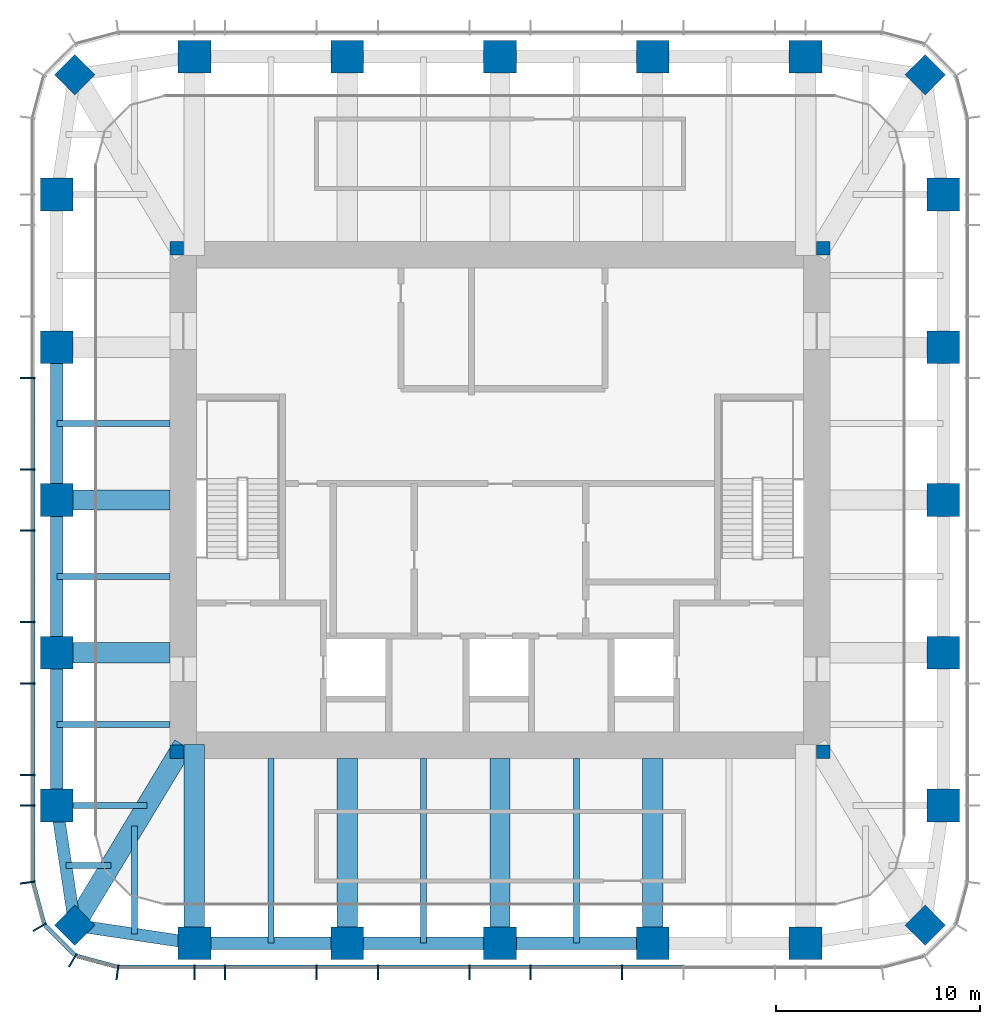
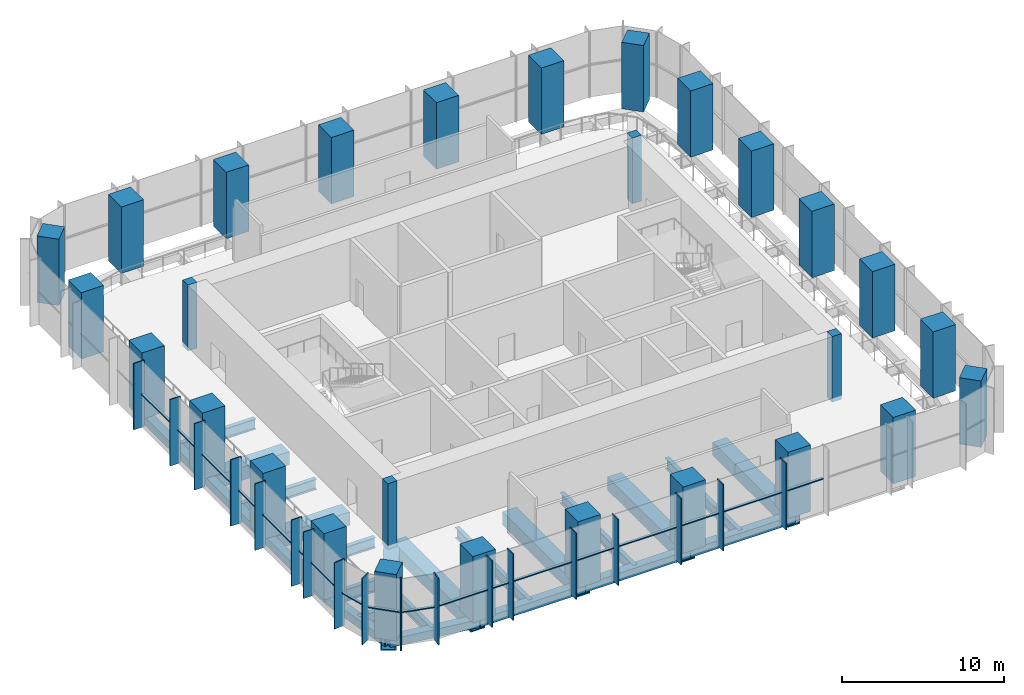
# One storey, part 1 of 10: 51 members, 28 columns, 9 beams, 3 elements without a shape of their own.
"""IFC4 building model written with IfcOpenShell, lengths in metres."""

from ifc_helpers import new_model, si_unit, direction, frame, origin, origin_2d, place, context, subcontext, project, spatial, rectangle, hollow_rectangle, i_section, extrude, material, material_profile, profile_set, type_object, element, aggregate, save


model = new_model("IFC4")

# Units and contexts
model_context = context("Model", 3, precision=1e-05, world=origin(), true_north=direction((0.0, 1.0)))
body_context = subcontext(model_context, "Body", "Model", "MODEL_VIEW")
ifc_project = project(units=[si_unit("LENGTHUNIT", "METRE"), si_unit("AREAUNIT", "SQUARE_METRE"), si_unit("VOLUMEUNIT", "CUBIC_METRE"), si_unit("PLANEANGLEUNIT", "RADIAN"), si_unit("MASSUNIT", "GRAM", prefix="KILO")], contexts=[model_context])

# Site, building, storey
site_placement = place(None, origin())
site = spatial("IfcSite", under=ifc_project, at=site_placement, CompositionType="ELEMENT")
building_placement = place(site_placement, origin())
building = spatial("IfcBuilding", under=site, at=building_placement, Name="Khuree Lantern Residences", CompositionType="ELEMENT")
storey_placement = place(building_placement, frame((0.0, 0.0, 358.25)))
storey = spatial("IfcBuildingStorey", under=building, at=storey_placement, Name="L90", CompositionType="ELEMENT", Elevation=358.25)

# Columns
ifc_material_1 = material(Name="Concrete C70/85", Category="concrete")
ifc_material_profile_1 = material_profile(ifc_material_1, rectangle(XDim=1.39990234375, YDim=1.39990234375, at=origin_2d()), Name="RC 1400X1400")
ifc_profile_set_1 = profile_set([ifc_material_profile_1], Name="Concrete C70/85")
column_type_1 = type_object("IfcColumnType", Name="CC1400 PERIMETER CORNER COLUMN RC 1400X1400", PredefinedType="COLUMN", material=ifc_profile_set_1)
for number, where, z_axis, x_axis, name in (
    (1, (20.8212890625, 20.8212890625, 0.0), (0.0, 0.0, 1.0), (0.707106781187, -0.707106781187, 0.0), "Perimeter column NE"),
    (2, (20.8212890625, -20.8212890625, 0.0), (0.0, 0.0, 1.0), (0.707106781187, 0.707106781187, 0.0), "Perimeter column SE"),
    (3, (-20.8212890625, -20.8212890625, 0.0), (0.0, 0.0, 1.0), (0.707106781187, -0.707106781187, 0.0), "Perimeter column SW"),
    (4, (-20.8212890625, 20.8212890625, 0.0), (0.0, 0.0, 1.0), (0.707106781187, 0.707106781187, 0.0), "Perimeter column NW"),
):
    element("IfcColumn", number, at=place(storey_placement, frame(where, z_axis=z_axis, x_axis=x_axis)), inside=storey, type_object=column_type_1, Name=name, PredefinedType="COLUMN", context=body_context, shape_type="SweptSolid", body=[
        extrude(rectangle(XDim=1.39990234375, YDim=1.39990234375, at=origin_2d()), origin(), (0.0, 0.0, 1.0), 5.0),
    ])
ifc_material_2 = material(Name="Concrete C50/60", Category="concrete")
ifc_material_profile_2 = material_profile(ifc_material_2, rectangle(XDim=0.64990234375, YDim=0.64990234375, at=origin_2d()), Name="RC 650X650")
ifc_profile_set_2 = profile_set([ifc_material_profile_2], Name="Concrete C50/60")
column_type_2 = type_object("IfcColumnType", Name="CP650-C50 CORE CORNER PIER C50 RC 650X650", PredefinedType="COLUMN", material=ifc_profile_set_2)
for number, where, z_axis, x_axis, name in (
    (5, (15.824951171875, 12.324951171875, -0.300048828125), (0.0, 0.0, 1.0), (1.0, 0.0, 0.0), "Core corner pier NE"),
    (6, (-15.824951171875, 12.324951171875, -0.300048828125), (0.0, 0.0, 1.0), (1.0, 0.0, 0.0), "Core corner pier NW"),
    (7, (-15.824951171875, -12.324951171875, -0.300048828125), (0.0, 0.0, 1.0), (1.0, 0.0, 0.0), "Core corner pier SW"),
    (8, (15.824951171875, -12.324951171875, -0.300048828125), (0.0, 0.0, 1.0), (1.0, 0.0, 0.0), "Core corner pier SE"),
):
    element("IfcColumn", number, at=place(storey_placement, frame(where, z_axis=z_axis, x_axis=x_axis)), inside=storey, type_object=column_type_2, Name=name, PredefinedType="COLUMN", context=body_context, shape_type="SweptSolid", body=[
        extrude(rectangle(XDim=0.64990234375, YDim=0.64990234375, at=origin_2d()), origin(), (0.0, 0.0, 1.0), 4.949951171875),
    ])
ifc_material_profile_3 = material_profile(ifc_material_1, rectangle(XDim=1.60009765625, YDim=1.60009765625, at=origin_2d()), Name="RC 1600X1600")
ifc_profile_set_3 = profile_set([ifc_material_profile_3], Name="Concrete C70/85")
column_type_3 = type_object("IfcColumnType", Name="PC5 PERIMETER COLUMN RC 1600X1600", PredefinedType="COLUMN", material=ifc_profile_set_3)
for number, where, z_axis, x_axis, name in (
    (9, (-14.9599609375, 21.699951171875, 0.0), (0.0, 0.0, 1.0), (1.0, 0.0, 0.0), "Perimeter column N1"),
    (10, (-7.47998046875, 21.699951171875, 0.0), (0.0, 0.0, 1.0), (1.0, 0.0, 0.0), "Perimeter column N2"),
    (11, (0.0, 21.699951171875, 0.0), (0.0, 0.0, 1.0), (1.0, 0.0, 0.0), "Perimeter column N3"),
    (12, (7.47998046875, 21.699951171875, 0.0), (0.0, 0.0, 1.0), (1.0, 0.0, 0.0), "Perimeter column N4"),
    (13, (14.9599609375, 21.699951171875, 0.0), (0.0, 0.0, 1.0), (1.0, 0.0, 0.0), "Perimeter column N5"),
    (14, (21.699951171875, 14.9599609375, 0.0), (0.0, 0.0, 1.0), (0.0, 1.0, 0.0), "Perimeter column E1"),
    (15, (21.699951171875, 7.47998046875, 0.0), (0.0, 0.0, 1.0), (0.0, 1.0, 0.0), "Perimeter column E2"),
    (16, (21.699951171875, 0.0, 0.0), (0.0, 0.0, 1.0), (0.0, 1.0, 0.0), "Perimeter column E3"),
    (17, (21.699951171875, -7.47998046875, 0.0), (0.0, 0.0, 1.0), (0.0, 1.0, 0.0), "Perimeter column E4"),
    (18, (21.699951171875, -14.9599609375, 0.0), (0.0, 0.0, 1.0), (0.0, 1.0, 0.0), "Perimeter column E5"),
    (19, (14.9599609375, -21.699951171875, 0.0), (0.0, 0.0, 1.0), (1.0, 0.0, 0.0), "Perimeter column S1"),
    (20, (7.47998046875, -21.699951171875, 0.0), (0.0, 0.0, 1.0), (1.0, 0.0, 0.0), "Perimeter column S2"),
    (21, (0.0, -21.699951171875, 0.0), (0.0, 0.0, 1.0), (1.0, 0.0, 0.0), "Perimeter column S3"),
    (22, (-7.47998046875, -21.699951171875, 0.0), (0.0, 0.0, 1.0), (1.0, 0.0, 0.0), "Perimeter column S4"),
    (23, (-14.9599609375, -21.699951171875, 0.0), (0.0, 0.0, 1.0), (1.0, 0.0, 0.0), "Perimeter column S5"),
    (24, (-21.699951171875, -14.9599609375, 0.0), (0.0, 0.0, 1.0), (0.0, 1.0, 0.0), "Perimeter column W1"),
    (25, (-21.699951171875, -7.47998046875, 0.0), (0.0, 0.0, 1.0), (0.0, 1.0, 0.0), "Perimeter column W2"),
    (26, (-21.699951171875, 0.0, 0.0), (0.0, 0.0, 1.0), (0.0, 1.0, 0.0), "Perimeter column W3"),
    (27, (-21.699951171875, 7.47998046875, 0.0), (0.0, 0.0, 1.0), (0.0, 1.0, 0.0), "Perimeter column W4"),
    (28, (-21.699951171875, 14.9599609375, 0.0), (0.0, 0.0, 1.0), (0.0, 1.0, 0.0), "Perimeter column W5"),
):
    element("IfcColumn", number, at=place(storey_placement, frame(where, z_axis=z_axis, x_axis=x_axis)), inside=storey, type_object=column_type_3, Name=name, PredefinedType="COLUMN", context=body_context, shape_type="SweptSolid", body=[
        extrude(rectangle(XDim=1.60009765625, YDim=1.60009765625, at=origin_2d()), origin(), (0.0, 0.0, 1.0), 5.0),
    ])

# Beams
ifc_material_3 = material(Name="Steel S355", Category="steel")
ifc_material_profile_4 = material_profile(ifc_material_3, i_section(OverallWidth=0.300048828125, OverallDepth=0.7900390625, WebThickness=0.014892578125, FlangeThickness=0.028076171875, FilletRadius=0.030029296875, at=origin_2d()), Name="HE 800 A")
ifc_profile_set_4 = profile_set([ifc_material_profile_4], Name="Steel S355")
beam_type_1 = type_object("IfcBeamType", Name="B-90 SECONDARY BEAM HE 800 A", PredefinedType="BEAM", material=ifc_profile_set_4)
for number, where, z_axis, x_axis, name in (
    (29, (3.739990234375, -21.699951171875, -0.695068359375), (0.0, 1.0, 0.0), (-1.0, 0.0, 0.0), "Secondary beam S3"),
    (30, (-3.739990234375, -21.699951171875, -0.695068359375), (0.0, 1.0, 0.0), (-1.0, 0.0, 0.0), "Secondary beam S4"),
    (31, (-11.219970703125, -21.699951171875, -0.695068359375), (0.0, 1.0, 0.0), (-1.0, 0.0, 0.0), "Secondary beam S5"),
):
    element("IfcBeam", number, at=place(storey_placement, frame(where, z_axis=z_axis, x_axis=x_axis)), inside=storey, type_object=beam_type_1, Name=name, PredefinedType="BEAM", context=body_context, shape_type="SweptSolid", body=[
        extrude(i_section(OverallWidth=0.300048828125, OverallDepth=0.7900390625, WebThickness=0.014892578125, FlangeThickness=0.028076171875, FilletRadius=0.030029296875, at=origin_2d()), origin(), (0.0, 0.0, 1.0), 9.050048828125),
    ])
beam_1_placement = place(storey_placement, frame((-17.890625, -21.2607421875, -0.695068359375), z_axis=(0.0, 1.0, 0.0), x_axis=(-1.0, 0.0, 0.0)))
element("IfcBeam", 32, at=beam_1_placement, inside=storey, type_object=beam_type_1, Name="Secondary beam S6", PredefinedType="BEAM", context=body_context, shape_type="SweptSolid", body=[
    extrude(i_section(OverallWidth=0.300048828125, OverallDepth=0.7900390625, WebThickness=0.014892578125, FlangeThickness=0.028076171875, FilletRadius=0.030029296875, at=origin_2d()), origin(), (0.0, 0.0, 1.0), 5.297607421875),
])
beam_2_placement = place(storey_placement, frame((-21.2607421875, -17.890625, -0.695068359375), z_axis=(1.0, 0.0, 0.0), x_axis=(0.0, 1.0, 0.0)))
element("IfcBeam", 33, at=beam_2_placement, inside=storey, type_object=beam_type_1, Name="Secondary beam W1", PredefinedType="BEAM", context=body_context, shape_type="SweptSolid", body=[
    extrude(i_section(OverallWidth=0.300048828125, OverallDepth=0.7900390625, WebThickness=0.014892578125, FlangeThickness=0.028076171875, FilletRadius=0.030029296875, at=origin_2d()), origin(), (0.0, 0.0, 1.0), 2.207275390625),
])
for number, where, z_axis, x_axis, name in (
    (34, (-21.699951171875, -11.0, -0.695068359375), (1.0, 0.0, 0.0), (0.0, 1.0, 0.0), "Secondary beam W2"),
    (35, (-21.699951171875, -3.739990234375, -0.695068359375), (1.0, 0.0, 0.0), (0.0, 1.0, 0.0), "Secondary beam W3"),
    (36, (-21.699951171875, 3.739990234375, -0.695068359375), (1.0, 0.0, 0.0), (0.0, 1.0, 0.0), "Secondary beam W4"),
):
    element("IfcBeam", number, at=place(storey_placement, frame(where, z_axis=z_axis, x_axis=x_axis)), inside=storey, type_object=beam_type_1, Name=name, PredefinedType="BEAM", context=body_context, shape_type="SweptSolid", body=[
        extrude(i_section(OverallWidth=0.300048828125, OverallDepth=0.7900390625, WebThickness=0.014892578125, FlangeThickness=0.028076171875, FilletRadius=0.030029296875, at=origin_2d()), origin(), (0.0, 0.0, 1.0), 5.550048828125),
    ])

# Members
ifc_material_profile_5 = material_profile(ifc_material_3, hollow_rectangle(XDim=0.60009765625, YDim=0.60009765625, WallThickness=0.050048828125, at=origin_2d()), Name="WELDED BOX 600X600X50")
ifc_profile_set_5 = profile_set([ifc_material_profile_5], Name="Steel S355")
member_type_1 = type_object("IfcMemberType", Name="BT-90 BELT TRUSS CHORD WELDED BOX 600X600X50", PredefinedType="CHORD", material=ifc_profile_set_5)
for number, where, z_axis, x_axis, name in (
    (37, (7.47998046875, -21.699951171875, -0.60009765625), (-1.0, 0.0, 0.0), (0.0, -1.0, 0.0), "Belt truss chord S3"),
    (38, (0.0, -21.699951171875, -0.60009765625), (-1.0, 0.0, 0.0), (0.0, -1.0, 0.0), "Belt truss chord S4"),
    (39, (-7.47998046875, -21.699951171875, -0.60009765625), (-1.0, 0.0, 0.0), (0.0, -1.0, 0.0), "Belt truss chord S5"),
):
    element("IfcMember", number, at=place(storey_placement, frame(where, z_axis=z_axis, x_axis=x_axis)), inside=storey, type_object=member_type_1, Name=name, PredefinedType="CHORD", context=body_context, shape_type="SweptSolid", body=[
        extrude(hollow_rectangle(XDim=0.60009765625, YDim=0.60009765625, WallThickness=0.050048828125, at=origin_2d()), origin(), (0.0, 0.0, 1.0), 7.47998046875),
    ])
for number, where, z_axis, x_axis, name in (
    (40, (-14.9599609375, -21.699951171875, -0.60009765625), (-0.988949643299, 0.148251822985, 0.0), (-0.148251822985, -0.988949643299, 0.0), "Belt truss chord S6"),
    (41, (-20.8212890625, -20.8212890625, -0.60009765625), (-0.148251822985, 0.988949643299, 0.0), (-0.988949643299, -0.148251822985, 0.0), "Belt truss chord W1"),
):
    element("IfcMember", number, at=place(storey_placement, frame(where, z_axis=z_axis, x_axis=x_axis)), inside=storey, type_object=member_type_1, Name=name, PredefinedType="CHORD", context=body_context, shape_type="SweptSolid", body=[
        extrude(hollow_rectangle(XDim=0.60009765625, YDim=0.60009765625, WallThickness=0.050048828125, at=origin_2d()), origin(), (0.0, 0.0, 1.0), 5.9267578125),
    ])
for number, where, z_axis, x_axis, name in (
    (42, (-21.699951171875, -14.9599609375, -0.60009765625), (0.0, 1.0, 0.0), (-1.0, 0.0, 0.0), "Belt truss chord W2"),
    (43, (-21.699951171875, -7.47998046875, -0.60009765625), (0.0, 1.0, 0.0), (-1.0, 0.0, 0.0), "Belt truss chord W3"),
    (44, (-21.699951171875, 0.0, -0.60009765625), (0.0, 1.0, 0.0), (-1.0, 0.0, 0.0), "Belt truss chord W4"),
):
    element("IfcMember", number, at=place(storey_placement, frame(where, z_axis=z_axis, x_axis=x_axis)), inside=storey, type_object=member_type_1, Name=name, PredefinedType="CHORD", context=body_context, shape_type="SweptSolid", body=[
        extrude(hollow_rectangle(XDim=0.60009765625, YDim=0.60009765625, WallThickness=0.050048828125, at=origin_2d()), origin(), (0.0, 0.0, 1.0), 7.47998046875),
    ])

# Curtain wall, members
ifc_material_4 = material(Name="Bronze anodised aluminium", Category="aluminium")
curtain_wall_type = type_object("IfcCurtainWallType", Name="CW-L LANTERN CROWN CURTAIN WALL", PredefinedType="USERDEFINED", material=ifc_material_4)
curtain_wall_1_placement = place(storey_placement, origin())
curtain_wall_1 = element("IfcCurtainWall", 45, at=curtain_wall_1_placement, inside=storey, type_object=curtain_wall_type, Name="L90 WEST FACE CURTAIN WALL", ObjectType="Lantern curtain wall", PredefinedType="USERDEFINED")
ifc_material_profile_6 = material_profile(ifc_material_4, rectangle(XDim=0.074951171875, YDim=0.75, at=origin_2d()), Name="F4 75X750")
ifc_profile_set_6 = profile_set([ifc_material_profile_6], Name="Bronze anodised aluminium")
member_type_2 = type_object("IfcMemberType", Name="F4 BRONZE FIN MULLION LANTERN 75X750", PredefinedType="MULLION", material=ifc_profile_set_6)
member_1_placement = place(storey_placement, frame((-23.125, 5.98388671875, 0.0), z_axis=(0.0, 0.0, 1.0), x_axis=(0.0, -1.0, 0.0)))
member_1 = element("IfcMember", 46, at=member_1_placement, type_object=member_type_2, Name="L90 WEST FACE FIN MULLION 36", PredefinedType="MULLION", context=body_context, shape_type="SweptSolid", body=[
    extrude(rectangle(XDim=0.074951171875, YDim=0.75, at=origin_2d()), origin(), (0.0, 0.0, 1.0), 5.0),
])
member_2_placement = place(storey_placement, frame((-23.125, 1.49609375, 0.0), z_axis=(0.0, 0.0, 1.0), x_axis=(0.0, -1.0, 0.0)))
member_2 = element("IfcMember", 47, at=member_2_placement, type_object=member_type_2, Name="L90 WEST FACE FIN MULLION 37", PredefinedType="MULLION", context=body_context, shape_type="SweptSolid", body=[
    extrude(rectangle(XDim=0.074951171875, YDim=0.75, at=origin_2d()), origin(), (0.0, 0.0, 1.0), 5.0),
])
member_3_placement = place(storey_placement, frame((-23.125, -1.49609375, 0.0), z_axis=(0.0, 0.0, 1.0), x_axis=(0.0, -1.0, 0.0)))
member_3 = element("IfcMember", 48, at=member_3_placement, type_object=member_type_2, Name="L90 WEST FACE FIN MULLION 38", PredefinedType="MULLION", context=body_context, shape_type="SweptSolid", body=[
    extrude(rectangle(XDim=0.074951171875, YDim=0.75, at=origin_2d()), origin(), (0.0, 0.0, 1.0), 5.0),
])
member_4_placement = place(storey_placement, frame((-23.125, -5.98388671875, 0.0), z_axis=(0.0, 0.0, 1.0), x_axis=(0.0, -1.0, 0.0)))
member_4 = element("IfcMember", 49, at=member_4_placement, type_object=member_type_2, Name="L90 WEST FACE FIN MULLION 39", PredefinedType="MULLION", context=body_context, shape_type="SweptSolid", body=[
    extrude(rectangle(XDim=0.074951171875, YDim=0.75, at=origin_2d()), origin(), (0.0, 0.0, 1.0), 5.0),
])
member_5_placement = place(storey_placement, frame((-23.125, -8.97607421875, 0.0), z_axis=(0.0, 0.0, 1.0), x_axis=(0.0, -1.0, 0.0)))
member_5 = element("IfcMember", 50, at=member_5_placement, type_object=member_type_2, Name="L90 WEST FACE FIN MULLION 40", PredefinedType="MULLION", context=body_context, shape_type="SweptSolid", body=[
    extrude(rectangle(XDim=0.074951171875, YDim=0.75, at=origin_2d()), origin(), (0.0, 0.0, 1.0), 5.0),
])
member_6_placement = place(storey_placement, frame((-23.125, -13.464111328125, 0.0), z_axis=(0.0, 0.0, 1.0), x_axis=(0.0, -1.0, 0.0)))
member_6 = element("IfcMember", 51, at=member_6_placement, type_object=member_type_2, Name="L90 WEST FACE FIN MULLION 41", PredefinedType="MULLION", context=body_context, shape_type="SweptSolid", body=[
    extrude(rectangle(XDim=0.074951171875, YDim=0.75, at=origin_2d()), origin(), (0.0, 0.0, 1.0), 5.0),
])
member_7_placement = place(storey_placement, frame((-23.125, -14.9599609375, 0.0), z_axis=(0.0, 0.0, 1.0), x_axis=(0.0, -1.0, 0.0)))
member_7 = element("IfcMember", 52, at=member_7_placement, type_object=member_type_2, Name="L90 WEST FACE FIN MULLION 42", PredefinedType="MULLION", context=body_context, shape_type="SweptSolid", body=[
    extrude(rectangle(XDim=0.074951171875, YDim=0.75, at=origin_2d()), origin(), (0.0, 0.0, 1.0), 5.0),
])

curtain_wall_2_placement = place(storey_placement, origin())
curtain_wall_2 = element("IfcCurtainWall", 53, at=curtain_wall_2_placement, inside=storey, type_object=curtain_wall_type, Name="L90 SOUTH-WEST CORNER CURTAIN WALL", ObjectType="Lantern curtain wall", PredefinedType="USERDEFINED")
member_8_placement = place(storey_placement, frame((-23.12451171875, -18.7294921875, 0.0), z_axis=(0.0, 0.0, 1.0), x_axis=(0.130526125236, -0.991444870192, 0.0)))
member_8 = element("IfcMember", 54, at=member_8_placement, type_object=member_type_2, Name="L90 SOUTH-WEST CORNER FIN MULLION 43", PredefinedType="MULLION", context=body_context, shape_type="SweptSolid", body=[
    extrude(rectangle(XDim=0.074951171875, YDim=0.75, at=origin_2d()), origin(), (0.0, 0.0, 1.0), 5.0),
])
member_9_placement = place(storey_placement, frame((-22.5322265625, -20.91259765625, 0.0), z_axis=(0.0, 0.0, 1.0), x_axis=(0.49999994149, -0.866025437565, 0.0)))
member_9 = element("IfcMember", 55, at=member_9_placement, type_object=member_type_2, Name="L90 SOUTH-WEST CORNER FIN MULLION 44", PredefinedType="MULLION", context=body_context, shape_type="SweptSolid", body=[
    extrude(rectangle(XDim=0.074951171875, YDim=0.75, at=origin_2d()), origin(), (0.0, 0.0, 1.0), 5.0),
])
member_10_placement = place(storey_placement, frame((-20.91259765625, -22.5322265625, 0.0), z_axis=(0.0, 0.0, 1.0), x_axis=(0.866025437565, -0.49999994149, 0.0)))
member_10 = element("IfcMember", 56, at=member_10_placement, type_object=member_type_2, Name="L90 SOUTH-WEST CORNER FIN MULLION 45", PredefinedType="MULLION", context=body_context, shape_type="SweptSolid", body=[
    extrude(rectangle(XDim=0.074951171875, YDim=0.75, at=origin_2d()), origin(), (0.0, 0.0, 1.0), 5.0),
])

curtain_wall_3_placement = place(storey_placement, origin())
curtain_wall_3 = element("IfcCurtainWall", 57, at=curtain_wall_3_placement, inside=storey, type_object=curtain_wall_type, Name="L90 SOUTH FACE CURTAIN WALL", ObjectType="Lantern curtain wall", PredefinedType="USERDEFINED")
member_11_placement = place(storey_placement, frame((-18.7294921875, -23.12451171875, 0.0), z_axis=(0.0, 0.0, 1.0), x_axis=(0.991444870192, -0.130526125236, 0.0)))
member_11 = element("IfcMember", 58, at=member_11_placement, type_object=member_type_2, Name="L90 SOUTH FACE FIN MULLION 46", PredefinedType="MULLION", context=body_context, shape_type="SweptSolid", body=[
    extrude(rectangle(XDim=0.074951171875, YDim=0.75, at=origin_2d()), origin(), (0.0, 0.0, 1.0), 5.0),
])
member_12_placement = place(storey_placement, frame((-14.9599609375, -23.125, 0.0), z_axis=(0.0, 0.0, 1.0), x_axis=(1.0, 0.0, 0.0)))
member_12 = element("IfcMember", 59, at=member_12_placement, type_object=member_type_2, Name="L90 SOUTH FACE FIN MULLION 47", PredefinedType="MULLION", context=body_context, shape_type="SweptSolid", body=[
    extrude(rectangle(XDim=0.074951171875, YDim=0.75, at=origin_2d()), origin(), (0.0, 0.0, 1.0), 5.0),
])
member_13_placement = place(storey_placement, frame((-13.464111328125, -23.125, 0.0), z_axis=(0.0, 0.0, 1.0), x_axis=(1.0, 0.0, 0.0)))
member_13 = element("IfcMember", 60, at=member_13_placement, type_object=member_type_2, Name="L90 SOUTH FACE FIN MULLION 48", PredefinedType="MULLION", context=body_context, shape_type="SweptSolid", body=[
    extrude(rectangle(XDim=0.074951171875, YDim=0.75, at=origin_2d()), origin(), (0.0, 0.0, 1.0), 5.0),
])
member_14_placement = place(storey_placement, frame((-8.97607421875, -23.125, 0.0), z_axis=(0.0, 0.0, 1.0), x_axis=(1.0, 0.0, 0.0)))
member_14 = element("IfcMember", 61, at=member_14_placement, type_object=member_type_2, Name="L90 SOUTH FACE FIN MULLION 49", PredefinedType="MULLION", context=body_context, shape_type="SweptSolid", body=[
    extrude(rectangle(XDim=0.074951171875, YDim=0.75, at=origin_2d()), origin(), (0.0, 0.0, 1.0), 5.0),
])
member_15_placement = place(storey_placement, frame((-5.98388671875, -23.125, 0.0), z_axis=(0.0, 0.0, 1.0), x_axis=(1.0, 0.0, 0.0)))
member_15 = element("IfcMember", 62, at=member_15_placement, type_object=member_type_2, Name="L90 SOUTH FACE FIN MULLION 50", PredefinedType="MULLION", context=body_context, shape_type="SweptSolid", body=[
    extrude(rectangle(XDim=0.074951171875, YDim=0.75, at=origin_2d()), origin(), (0.0, 0.0, 1.0), 5.0),
])
member_16_placement = place(storey_placement, frame((-1.49609375, -23.125, 0.0), z_axis=(0.0, 0.0, 1.0), x_axis=(1.0, 0.0, 0.0)))
member_16 = element("IfcMember", 63, at=member_16_placement, type_object=member_type_2, Name="L90 SOUTH FACE FIN MULLION 51", PredefinedType="MULLION", context=body_context, shape_type="SweptSolid", body=[
    extrude(rectangle(XDim=0.074951171875, YDim=0.75, at=origin_2d()), origin(), (0.0, 0.0, 1.0), 5.0),
])
member_17_placement = place(storey_placement, frame((1.49609375, -23.125, 0.0), z_axis=(0.0, 0.0, 1.0), x_axis=(1.0, 0.0, 0.0)))
member_17 = element("IfcMember", 64, at=member_17_placement, type_object=member_type_2, Name="L90 SOUTH FACE FIN MULLION 52", PredefinedType="MULLION", context=body_context, shape_type="SweptSolid", body=[
    extrude(rectangle(XDim=0.074951171875, YDim=0.75, at=origin_2d()), origin(), (0.0, 0.0, 1.0), 5.0),
])
member_18_placement = place(storey_placement, frame((5.98388671875, -23.125, 0.0), z_axis=(0.0, 0.0, 1.0), x_axis=(1.0, 0.0, 0.0)))
member_18 = element("IfcMember", 65, at=member_18_placement, type_object=member_type_2, Name="L90 SOUTH FACE FIN MULLION 53", PredefinedType="MULLION", context=body_context, shape_type="SweptSolid", body=[
    extrude(rectangle(XDim=0.074951171875, YDim=0.75, at=origin_2d()), origin(), (0.0, 0.0, 1.0), 5.0),
])

# Beam
ifc_material_profile_7 = material_profile(ifc_material_3, i_section(OverallWidth=0.300048828125, OverallDepth=0.89990234375, WebThickness=0.0185546875, FlangeThickness=0.034912109375, FilletRadius=0.030029296875, at=origin_2d()), Name="HE 900 B")
ifc_profile_set_7 = profile_set([ifc_material_profile_7], Name="Steel S355")
beam_type_2 = type_object("IfcBeamType", Name="G-90 GIRDER HE 900 B", PredefinedType="BEAM", material=ifc_profile_set_7)
beam_3_placement = place(storey_placement, frame((-21.699951171875, -14.9599609375, -0.75), z_axis=(1.0, 0.0, 0.0), x_axis=(0.0, 1.0, 0.0)))
element("IfcBeam", 66, at=beam_3_placement, inside=storey, type_object=beam_type_2, Name="Girder W1", PredefinedType="BEAM", context=body_context, shape_type="SweptSolid", body=[
    extrude(i_section(OverallWidth=0.300048828125, OverallDepth=0.89990234375, WebThickness=0.0185546875, FlangeThickness=0.034912109375, FilletRadius=0.030029296875, at=origin_2d()), origin(), (0.0, 0.0, 1.0), 4.414306640625),
])

# Members
ifc_material_profile_8 = material_profile(ifc_material_3, hollow_rectangle(XDim=1.0, YDim=1.0, WallThickness=0.080078125, at=origin_2d()), Name="WELDED BOX 1000X1000X80")
ifc_profile_set_8 = profile_set([ifc_material_profile_8], Name="Steel S355")
member_type_3 = type_object("IfcMemberType", Name="OT-90 OUTRIGGER TRUSS CHORD WELDED BOX 1000X1000X80", PredefinedType="CHORD", material=ifc_profile_set_8)
for number, where, z_axis, x_axis, name in (
    (67, (7.47998046875, -21.699951171875, -0.800048828125), (0.0, 1.0, 0.0), (-1.0, 0.0, 0.0), "Outrigger chord S2"),
    (68, (0.0, -21.699951171875, -0.800048828125), (0.0, 1.0, 0.0), (-1.0, 0.0, 0.0), "Outrigger chord S3"),
    (69, (-7.47998046875, -21.699951171875, -0.800048828125), (0.0, 1.0, 0.0), (-1.0, 0.0, 0.0), "Outrigger chord S4"),
):
    element("IfcMember", number, at=place(storey_placement, frame(where, z_axis=z_axis, x_axis=x_axis)), inside=storey, type_object=member_type_3, Name=name, PredefinedType="CHORD", context=body_context, shape_type="SweptSolid", body=[
        extrude(hollow_rectangle(XDim=1.0, YDim=1.0, WallThickness=0.080078125, at=origin_2d()), origin(), (0.0, 0.0, 1.0), 9.050048828125),
    ])
member_19_placement = place(storey_placement, frame((-14.9599609375, -21.699951171875, -0.800048828125), z_axis=(0.0, 1.0, 0.0), x_axis=(-1.0, 0.0, 0.0)))
element("IfcMember", 70, at=member_19_placement, inside=storey, type_object=member_type_3, Name="Outrigger chord S5", PredefinedType="CHORD", context=body_context, shape_type="SweptSolid", body=[
    extrude(hollow_rectangle(XDim=1.0, YDim=1.0, WallThickness=0.080078125, at=origin_2d()), origin(), (0.0, 0.0, 1.0), 9.723876953125),
])
for number, where, z_axis, x_axis, name in (
    (71, (-21.699951171875, -7.47998046875, -0.800048828125), (1.0, 0.0, 0.0), (0.0, 1.0, 0.0), "Outrigger chord W2"),
    (72, (-21.699951171875, 0.0, -0.800048828125), (1.0, 0.0, 0.0), (0.0, 1.0, 0.0), "Outrigger chord W3"),
):
    element("IfcMember", number, at=place(storey_placement, frame(where, z_axis=z_axis, x_axis=x_axis)), inside=storey, type_object=member_type_3, Name=name, PredefinedType="CHORD", context=body_context, shape_type="SweptSolid", body=[
        extrude(hollow_rectangle(XDim=1.0, YDim=1.0, WallThickness=0.080078125, at=origin_2d()), origin(), (0.0, 0.0, 1.0), 5.550048828125),
    ])
member_20_placement = place(storey_placement, frame((-20.8212890625, -20.8212890625, -0.800048828125), z_axis=(0.516529577604, 0.856269347495, 0.0), x_axis=(-0.856269347495, 0.516529577604, 0.0)))
element("IfcMember", 73, at=member_20_placement, inside=storey, type_object=member_type_3, Name="Outrigger chord SW", PredefinedType="CHORD", context=body_context, shape_type="SweptSolid", body=[
    extrude(hollow_rectangle(XDim=1.0, YDim=1.0, WallThickness=0.080078125, at=origin_2d()), origin(), (0.0, 0.0, 1.0), 10.302001953125),
])

# Member
ifc_material_profile_9 = material_profile(ifc_material_4, rectangle(XDim=0.199951171875, YDim=0.074951171875, at=origin_2d()), Name="T4 200X75")
ifc_profile_set_9 = profile_set([ifc_material_profile_9], Name="Bronze anodised aluminium")
member_type_4 = type_object("IfcMemberType", Name="TRANSOM T4 LANTERN 200X75", PredefinedType="USERDEFINED", material=ifc_profile_set_9)
member_21_placement = place(storey_placement, frame((-22.8701171875, 5.946533203125, 2.5), z_axis=(0.0, -1.0, 0.0), x_axis=(1.0, 0.0, 0.0)))
member_21 = element("IfcMember", 74, at=member_21_placement, type_object=member_type_4, Name="L90 WEST FACE TRANSOM 36.1", ObjectType="Transom", PredefinedType="USERDEFINED", context=body_context, shape_type="SweptSolid", body=[
    extrude(rectangle(XDim=0.199951171875, YDim=0.074951171875, at=origin_2d()), origin(), (0.0, 0.0, 1.0), 4.4130859375),
])

member_22_placement = place(storey_placement, frame((-22.8701171875, 1.45849609375, 2.5), z_axis=(0.0, -1.0, 0.0), x_axis=(1.0, 0.0, 0.0)))
member_22 = element("IfcMember", 75, at=member_22_placement, type_object=member_type_4, Name="L90 WEST FACE TRANSOM 37.1", ObjectType="Transom", PredefinedType="USERDEFINED", context=body_context, shape_type="SweptSolid", body=[
    extrude(rectangle(XDim=0.199951171875, YDim=0.074951171875, at=origin_2d()), origin(), (0.0, 0.0, 1.0), 2.9169921875),
])

member_23_placement = place(storey_placement, frame((-22.8701171875, -1.533447265625, 2.5), z_axis=(0.0, -1.0, 0.0), x_axis=(1.0, 0.0, 0.0)))
member_23 = element("IfcMember", 76, at=member_23_placement, type_object=member_type_4, Name="L90 WEST FACE TRANSOM 38.1", ObjectType="Transom", PredefinedType="USERDEFINED", context=body_context, shape_type="SweptSolid", body=[
    extrude(rectangle(XDim=0.199951171875, YDim=0.074951171875, at=origin_2d()), origin(), (0.0, 0.0, 1.0), 4.4130859375),
])

member_24_placement = place(storey_placement, frame((-22.8701171875, -6.021484375, 2.5), z_axis=(0.0, -1.0, 0.0), x_axis=(1.0, 0.0, 0.0)))
member_24 = element("IfcMember", 77, at=member_24_placement, type_object=member_type_4, Name="L90 WEST FACE TRANSOM 39.1", ObjectType="Transom", PredefinedType="USERDEFINED", context=body_context, shape_type="SweptSolid", body=[
    extrude(rectangle(XDim=0.199951171875, YDim=0.074951171875, at=origin_2d()), origin(), (0.0, 0.0, 1.0), 2.9169921875),
])

member_25_placement = place(storey_placement, frame((-22.8701171875, -9.013427734375, 2.5), z_axis=(0.0, -1.0, 0.0), x_axis=(1.0, 0.0, 0.0)))
member_25 = element("IfcMember", 78, at=member_25_placement, type_object=member_type_4, Name="L90 WEST FACE TRANSOM 40.1", ObjectType="Transom", PredefinedType="USERDEFINED", context=body_context, shape_type="SweptSolid", body=[
    extrude(rectangle(XDim=0.199951171875, YDim=0.074951171875, at=origin_2d()), origin(), (0.0, 0.0, 1.0), 4.4130859375),
])

member_26_placement = place(storey_placement, frame((-22.8701171875, -13.50146484375, 2.5), z_axis=(0.0, -1.0, 0.0), x_axis=(1.0, 0.0, 0.0)))
member_26 = element("IfcMember", 79, at=member_26_placement, type_object=member_type_4, Name="L90 WEST FACE TRANSOM 41.1", ObjectType="Transom", PredefinedType="USERDEFINED", context=body_context, shape_type="SweptSolid", body=[
    extrude(rectangle(XDim=0.199951171875, YDim=0.074951171875, at=origin_2d()), origin(), (0.0, 0.0, 1.0), 1.421142578125),
])

member_27_placement = place(storey_placement, frame((-22.8701171875, -14.99755859375, 2.5), z_axis=(0.0, -1.0, 0.0), x_axis=(1.0, 0.0, 0.0)))
member_27 = element("IfcMember", 80, at=member_27_placement, type_object=member_type_4, Name="L90 WEST FACE TRANSOM 42.1", ObjectType="Transom", PredefinedType="USERDEFINED", context=body_context, shape_type="SweptSolid", body=[
    extrude(rectangle(XDim=0.199951171875, YDim=0.074951171875, at=origin_2d()), origin(), (0.0, 0.0, 1.0), 3.6474609375),
])

aggregate(curtain_wall_1, [member_1, member_2, member_3, member_4, member_5, member_6, member_7, member_21, member_22, member_23, member_24, member_25, member_26, member_27])

member_28_placement = place(storey_placement, frame((-22.856689453125, -18.745361328125, 2.5), z_axis=(0.258761937717, -0.965941126358, 0.0), x_axis=(0.965941126358, 0.258761937717, 0.0)))
member_28 = element("IfcMember", 81, at=member_28_placement, type_object=member_type_4, Name="L90 SOUTH-WEST CORNER TRANSOM 43.1", ObjectType="Transom", PredefinedType="USERDEFINED", context=body_context, shape_type="SweptSolid", body=[
    extrude(rectangle(XDim=0.199951171875, YDim=0.074951171875, at=origin_2d()), origin(), (0.0, 0.0, 1.0), 2.04541015625),
])

member_29_placement = place(storey_placement, frame((-22.263916015625, -20.830810546875, 2.5), z_axis=(0.707106781187, -0.707106781187, 0.0), x_axis=(0.707106781187, 0.707106781187, 0.0)))
member_29 = element("IfcMember", 82, at=member_29_placement, type_object=member_type_4, Name="L90 SOUTH-WEST CORNER TRANSOM 44.1", ObjectType="Transom", PredefinedType="USERDEFINED", context=body_context, shape_type="SweptSolid", body=[
    extrude(rectangle(XDim=0.199951171875, YDim=0.074951171875, at=origin_2d()), origin(), (0.0, 0.0, 1.0), 2.026611328125),
])

member_30_placement = place(storey_placement, frame((-20.72119140625, -22.327392578125, 2.5), z_axis=(0.965941126358, -0.258761937717, 0.0), x_axis=(0.258761937717, 0.965941126358, 0.0)))
member_30 = element("IfcMember", 83, at=member_30_placement, type_object=member_type_4, Name="L90 SOUTH-WEST CORNER TRANSOM 45.1", ObjectType="Transom", PredefinedType="USERDEFINED", context=body_context, shape_type="SweptSolid", body=[
    extrude(rectangle(XDim=0.199951171875, YDim=0.074951171875, at=origin_2d()), origin(), (0.0, 0.0, 1.0), 2.04541015625),
])

aggregate(curtain_wall_2, [member_8, member_9, member_10, member_28, member_29, member_30])

member_31_placement = place(storey_placement, frame((-18.64501953125, -22.8701171875, 2.5), z_axis=(1.0, 0.0, 0.0), x_axis=(0.0, 1.0, 0.0)))
member_31 = element("IfcMember", 84, at=member_31_placement, type_object=member_type_4, Name="L90 SOUTH FACE TRANSOM 46.1", ObjectType="Transom", PredefinedType="USERDEFINED", context=body_context, shape_type="SweptSolid", body=[
    extrude(rectangle(XDim=0.199951171875, YDim=0.074951171875, at=origin_2d()), origin(), (0.0, 0.0, 1.0), 3.6474609375),
])

member_32_placement = place(storey_placement, frame((-14.922607421875, -22.8701171875, 2.5), z_axis=(1.0, 0.0, 0.0), x_axis=(0.0, 1.0, 0.0)))
member_32 = element("IfcMember", 85, at=member_32_placement, type_object=member_type_4, Name="L90 SOUTH FACE TRANSOM 47.1", ObjectType="Transom", PredefinedType="USERDEFINED", context=body_context, shape_type="SweptSolid", body=[
    extrude(rectangle(XDim=0.199951171875, YDim=0.074951171875, at=origin_2d()), origin(), (0.0, 0.0, 1.0), 1.421142578125),
])

member_33_placement = place(storey_placement, frame((-13.426513671875, -22.8701171875, 2.5), z_axis=(1.0, 0.0, 0.0), x_axis=(0.0, 1.0, 0.0)))
member_33 = element("IfcMember", 86, at=member_33_placement, type_object=member_type_4, Name="L90 SOUTH FACE TRANSOM 48.1", ObjectType="Transom", PredefinedType="USERDEFINED", context=body_context, shape_type="SweptSolid", body=[
    extrude(rectangle(XDim=0.199951171875, YDim=0.074951171875, at=origin_2d()), origin(), (0.0, 0.0, 1.0), 4.4130859375),
])

member_34_placement = place(storey_placement, frame((-8.9384765625, -22.8701171875, 2.5), z_axis=(1.0, 0.0, 0.0), x_axis=(0.0, 1.0, 0.0)))
member_34 = element("IfcMember", 87, at=member_34_placement, type_object=member_type_4, Name="L90 SOUTH FACE TRANSOM 49.1", ObjectType="Transom", PredefinedType="USERDEFINED", context=body_context, shape_type="SweptSolid", body=[
    extrude(rectangle(XDim=0.199951171875, YDim=0.074951171875, at=origin_2d()), origin(), (0.0, 0.0, 1.0), 2.9169921875),
])

member_35_placement = place(storey_placement, frame((-5.946533203125, -22.8701171875, 2.5), z_axis=(1.0, 0.0, 0.0), x_axis=(0.0, 1.0, 0.0)))
member_35 = element("IfcMember", 88, at=member_35_placement, type_object=member_type_4, Name="L90 SOUTH FACE TRANSOM 50.1", ObjectType="Transom", PredefinedType="USERDEFINED", context=body_context, shape_type="SweptSolid", body=[
    extrude(rectangle(XDim=0.199951171875, YDim=0.074951171875, at=origin_2d()), origin(), (0.0, 0.0, 1.0), 4.4130859375),
])

member_36_placement = place(storey_placement, frame((-1.45849609375, -22.8701171875, 2.5), z_axis=(1.0, 0.0, 0.0), x_axis=(0.0, 1.0, 0.0)))
member_36 = element("IfcMember", 89, at=member_36_placement, type_object=member_type_4, Name="L90 SOUTH FACE TRANSOM 51.1", ObjectType="Transom", PredefinedType="USERDEFINED", context=body_context, shape_type="SweptSolid", body=[
    extrude(rectangle(XDim=0.199951171875, YDim=0.074951171875, at=origin_2d()), origin(), (0.0, 0.0, 1.0), 2.9169921875),
])

member_37_placement = place(storey_placement, frame((1.533447265625, -22.8701171875, 2.5), z_axis=(1.0, 0.0, 0.0), x_axis=(0.0, 1.0, 0.0)))
member_37 = element("IfcMember", 90, at=member_37_placement, type_object=member_type_4, Name="L90 SOUTH FACE TRANSOM 52.1", ObjectType="Transom", PredefinedType="USERDEFINED", context=body_context, shape_type="SweptSolid", body=[
    extrude(rectangle(XDim=0.199951171875, YDim=0.074951171875, at=origin_2d()), origin(), (0.0, 0.0, 1.0), 4.4130859375),
])

member_38_placement = place(storey_placement, frame((6.021484375, -22.8701171875, 2.5), z_axis=(1.0, 0.0, 0.0), x_axis=(0.0, 1.0, 0.0)))
member_38 = element("IfcMember", 91, at=member_38_placement, type_object=member_type_4, Name="L90 SOUTH FACE TRANSOM 53.1", ObjectType="Transom", PredefinedType="USERDEFINED", context=body_context, shape_type="SweptSolid", body=[
    extrude(rectangle(XDim=0.199951171875, YDim=0.074951171875, at=origin_2d()), origin(), (0.0, 0.0, 1.0), 2.9169921875),
])

aggregate(curtain_wall_3, [member_11, member_12, member_13, member_14, member_15, member_16, member_17, member_18, member_31, member_32, member_33, member_34, member_35, member_36, member_37, member_38])

save(model, "model.ifc")
